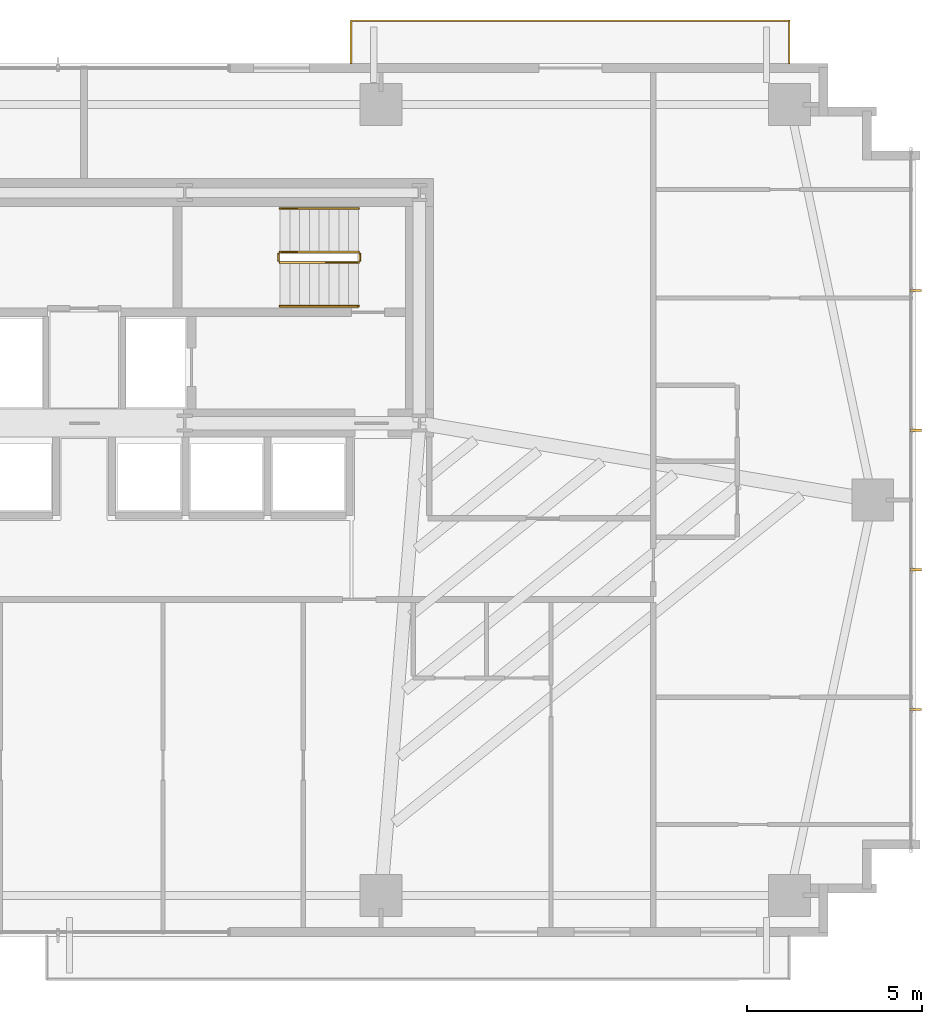
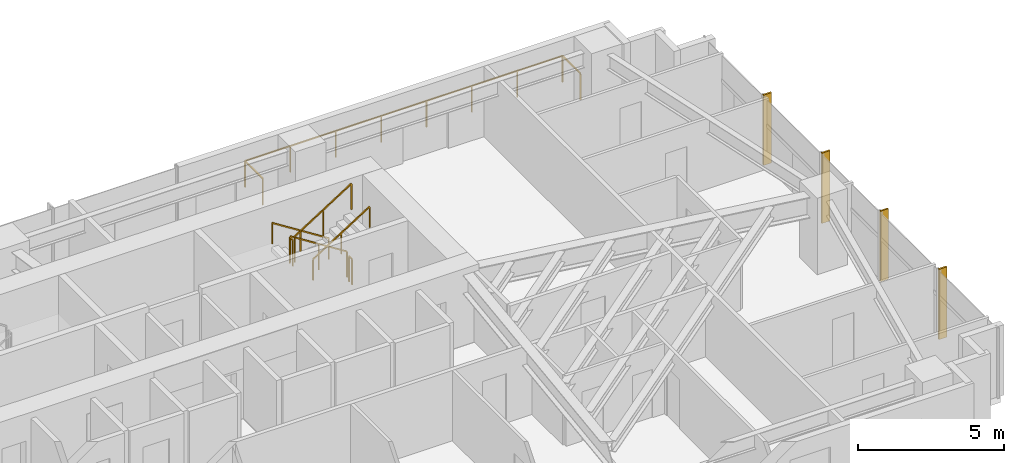
# One storey, part 25 of 25: 7 railings, 4 shading devices.
"""IFC4 building model written with IfcOpenShell, lengths in metres."""

from ifc_helpers import new_model, si_unit, direction, frame, origin, origin_2d, place, context, subcontext, project, spatial, rectangle, extrude, source, transform, mapped, material, type_object, type_shapes, element, save


model = new_model("IFC4")

# Units and contexts
model_context = context("Model", 3, precision=1e-05, world=origin(), true_north=direction((0.0, 1.0)))
body_context = subcontext(model_context, "Body", "Model", "MODEL_VIEW")
ifc_project = project(units=[si_unit("LENGTHUNIT", "METRE"), si_unit("AREAUNIT", "SQUARE_METRE"), si_unit("VOLUMEUNIT", "CUBIC_METRE"), si_unit("PLANEANGLEUNIT", "RADIAN"), si_unit("MASSUNIT", "GRAM", prefix="KILO")], contexts=[model_context])

# Site, building, storey
site_placement = place(None, origin())
site = spatial("IfcSite", under=ifc_project, at=site_placement, CompositionType="ELEMENT")
building_placement = place(site_placement, origin())
building = spatial("IfcBuilding", under=site, at=building_placement, Name="Astriad Promenade Condominiums", CompositionType="ELEMENT")
storey_placement = place(building_placement, frame((0.0, 0.0, 26.199951171875)))
storey = spatial("IfcBuildingStorey", under=building, at=storey_placement, Name="L06", CompositionType="ELEMENT", Elevation=26.199951171875)

# Shading devices
ifc_material_1 = material(Name="Anodised aluminium 6063-T6 Black Fin", Category="aluminium")
shading_device_type = type_object("IfcShadingDeviceType", Name="FIN-BLACK-320", PredefinedType="USERDEFINED", material=ifc_material_1)
shared_shape_1 = source(origin(), body_context, "Body", "SweptSolid", [
    extrude(rectangle(XDim=0.06494140625, YDim=0.320068359375, at=origin_2d()), origin(), (0.0, 0.0, 1.0), 2.93994140625),
])
type_shapes(shading_device_type, [shared_shape_1])
for number, where, z_axis, x_axis, name in (
    (1, (59.81005859375, 21.199951171875, 0.0), (0.0, 0.0, 1.0), (0.0, -1.0, 0.0), "CW-L06-E-FIN-01"),
    (2, (59.81005859375, 17.199951171875, 0.0), (0.0, 0.0, 1.0), (0.0, -1.0, 0.0), "CW-L06-E-FIN-02"),
    (3, (59.81005859375, 13.199951171875, 0.0), (0.0, 0.0, 1.0), (0.0, -1.0, 0.0), "CW-L06-E-FIN-03"),
    (4, (59.81005859375, 9.199951171875, 0.0), (0.0, 0.0, 1.0), (0.0, -1.0, 0.0), "CW-L06-E-FIN-04"),
):
    element("IfcShadingDevice", number, at=place(storey_placement, frame(where, z_axis=z_axis, x_axis=x_axis)), inside=storey, type_object=shading_device_type, Name=name, ObjectType="FIN", PredefinedType="USERDEFINED", context=body_context, shape_type="MappedRepresentation", body=[
        mapped(shared_shape_1, transform((0.0, 0.0, 0.0), scale=1.0)),
    ])

# Railings
ifc_material_2 = material(Name="Laminated Glass and Stainless Steel Balustrade", Category="steel")
railing_type_1 = type_object("IfcRailingType", Name="GRD-BALC-1120", PredefinedType="BALUSTRADE", material=ifc_material_2)
shared_shape_2 = source(origin(), body_context, "Body", "SweptSolid", [
    extrude(rectangle(XDim=0.048095703125, YDim=0.048095703125, at=origin_2d()), frame((0.0, 0.0, 1.09619140625), z_axis=(0.0, 1.0, 0.0), x_axis=(-1.0, 0.0, 0.0)), (0.0, 0.0, 1.0), 1.219970703125),
    extrude(rectangle(XDim=0.048095703125, YDim=0.048095703125, at=origin_2d()), frame((0.0, 1.219970703125, 1.09619140625), z_axis=(-1.0, 0.0, 0.0), x_axis=(0.0, -1.0, 0.0)), (0.0, 0.0, 1.0), 12.546142578125),
    extrude(rectangle(XDim=0.048095703125, YDim=0.048095703125, at=origin_2d()), frame((-12.546142578125, 1.219970703125, 1.09619140625), z_axis=(0.0, -1.0, 0.0), x_axis=(1.0, 0.0, 0.0)), (0.0, 0.0, 1.0), 1.219970703125),
    extrude(rectangle(XDim=0.0419921875, YDim=0.0419921875, at=origin_2d()), origin(), (0.0, 0.0, 1.0), 1.072021484375),
    extrude(rectangle(XDim=0.0419921875, YDim=0.0419921875, at=origin_2d()), frame((0.0, 1.219970703125, 0.0)), (0.0, 0.0, 1.0), 1.072021484375),
    extrude(rectangle(XDim=0.0419921875, YDim=0.0419921875, at=origin_2d()), frame((-1.792236328125, 1.219970703125, 0.0)), (0.0, 0.0, 1.0), 1.072021484375),
    extrude(rectangle(XDim=0.0419921875, YDim=0.0419921875, at=origin_2d()), frame((-3.584716796875, 1.219970703125, 0.0)), (0.0, 0.0, 1.0), 1.072021484375),
    extrude(rectangle(XDim=0.0419921875, YDim=0.0419921875, at=origin_2d()), frame((-5.376953125, 1.219970703125, 0.0)), (0.0, 0.0, 1.0), 1.072021484375),
    extrude(rectangle(XDim=0.0419921875, YDim=0.0419921875, at=origin_2d()), frame((-7.169189453125, 1.219970703125, 0.0)), (0.0, 0.0, 1.0), 1.072021484375),
    extrude(rectangle(XDim=0.0419921875, YDim=0.0419921875, at=origin_2d()), frame((-8.96142578125, 1.219970703125, 0.0)), (0.0, 0.0, 1.0), 1.072021484375),
    extrude(rectangle(XDim=0.0419921875, YDim=0.0419921875, at=origin_2d()), frame((-10.75390625, 1.219970703125, 0.0)), (0.0, 0.0, 1.0), 1.072021484375),
    extrude(rectangle(XDim=0.0419921875, YDim=0.0419921875, at=origin_2d()), frame((-12.546142578125, 1.219970703125, 0.0)), (0.0, 0.0, 1.0), 1.072021484375),
    extrude(rectangle(XDim=0.0419921875, YDim=0.0419921875, at=origin_2d()), frame((-12.546142578125, 0.0, 0.0)), (0.0, 0.0, 1.0), 1.072021484375),
])
type_shapes(railing_type_1, [shared_shape_2])
railing_1_placement = place(storey_placement, frame((56.18603515625, 27.699951171875, 0.0)))
element("IfcRailing", 5, at=railing_1_placement, inside=storey, type_object=railing_type_1, Name="GRD-BALC-L06-NE", PredefinedType="BALUSTRADE", context=body_context, shape_type="MappedRepresentation", body=[
    mapped(shared_shape_2, transform((0.0, 0.0, 0.0), scale=1.0)),
])
ifc_material_3 = material(Name="Painted Galvanised Steel Guardrail", Category="steel")
railing_type_2 = type_object("IfcRailingType", Name="GRD-STAIR-1100", PredefinedType="GUARDRAIL", material=ifc_material_3)
shared_shape_3 = source(origin(), body_context, "Body", "SweptSolid", [
    extrude(rectangle(XDim=0.048095703125, YDim=0.048095703125, at=origin_2d()), frame((0.0, 0.0, 1.076171875), z_axis=(0.8442293374, 0.0, 0.53598211339), x_axis=(0.0, 1.0, 0.0)), (0.0, 0.0, 1.0), 2.6533203125),
    extrude(rectangle(XDim=0.0419921875, YDim=0.0419921875, at=origin_2d()), origin(), (0.0, 0.0, 1.0), 1.052001953125),
    extrude(rectangle(XDim=0.0419921875, YDim=0.0419921875, at=origin_2d()), frame((1.1201171875, 0.0, 0.7109375)), (0.0, 0.0, 1.0), 1.052001953125),
    extrude(rectangle(XDim=0.0419921875, YDim=0.0419921875, at=origin_2d()), frame((2.239990234375, 0.0, 1.422119140625)), (0.0, 0.0, 1.0), 1.052001953125),
])
railing_2_placement = place(storey_placement, frame((41.610107421875, 22.0, 1.77783203125)))
element("IfcRailing", 6, at=railing_2_placement, inside=storey, type_object=railing_type_2, Name="L06 ST-2 stair guard 3", PredefinedType="GUARDRAIL", context=body_context, shape_type="MappedRepresentation", body=[
    mapped(shared_shape_3, transform((0.0, 0.0, 0.0), scale=1.0)),
])
shared_shape_4 = source(origin(), body_context, "Body", "SweptSolid", [
    extrude(rectangle(XDim=0.048095703125, YDim=0.048095703125, at=origin_2d()), frame((0.0, 0.0, 1.076171875), z_axis=(-0.84418770128, 0.0, 0.536047689118), x_axis=(0.0, -1.0, 0.0)), (0.0, 0.0, 1.0), 2.6533203125),
    extrude(rectangle(XDim=0.0419921875, YDim=0.0419921875, at=origin_2d()), origin(), (0.0, 0.0, 1.0), 1.052001953125),
    extrude(rectangle(XDim=0.0419921875, YDim=0.0419921875, at=origin_2d()), frame((-1.1201171875, 0.0, 0.711181640625)), (0.0, 0.0, 1.0), 1.052001953125),
    extrude(rectangle(XDim=0.0419921875, YDim=0.0419921875, at=origin_2d()), frame((-2.239990234375, 0.0, 1.42236328125)), (0.0, 0.0, 1.0), 1.052001953125),
])
railing_3_placement = place(storey_placement, frame((43.85009765625, 22.300048828125, 0.177734375)))
element("IfcRailing", 7, at=railing_3_placement, inside=storey, type_object=railing_type_2, Name="L06 ST-2 stair guard 1", PredefinedType="GUARDRAIL", context=body_context, shape_type="MappedRepresentation", body=[
    mapped(shared_shape_4, transform((0.0, 0.0, 0.0), scale=1.0)),
])
ifc_material_4 = material(Name="Brushed Stainless Steel Handrail", Category="steel")
railing_type_3 = type_object("IfcRailingType", Name="HRL-STAIR-920", PredefinedType="HANDRAIL", material=ifc_material_4)
shared_shape_5 = source(origin(), body_context, "Body", "SweptSolid", [
    extrude(rectangle(XDim=0.048095703125, YDim=0.048095703125, at=origin_2d()), frame((0.0, 0.0, 0.8759765625), z_axis=(0.8442293374, 0.0, 0.53598211339), x_axis=(0.0, 1.0, 0.0)), (0.0, 0.0, 1.0), 2.6533203125),
    extrude(rectangle(XDim=0.0419921875, YDim=0.0419921875, at=origin_2d()), origin(), (0.0, 0.0, 1.0), 0.851806640625),
    extrude(rectangle(XDim=0.0419921875, YDim=0.0419921875, at=origin_2d()), frame((1.1201171875, 0.0, 0.7109375)), (0.0, 0.0, 1.0), 0.851806640625),
    extrude(rectangle(XDim=0.0419921875, YDim=0.0419921875, at=origin_2d()), frame((2.239990234375, 0.0, 1.422119140625)), (0.0, 0.0, 1.0), 0.851806640625),
])
railing_4_placement = place(storey_placement, frame((41.610107421875, 20.75, 1.77783203125)))
element("IfcRailing", 8, at=railing_4_placement, inside=storey, type_object=railing_type_3, Name="L06 ST-2 stair handrail 2", PredefinedType="HANDRAIL", context=body_context, shape_type="MappedRepresentation", body=[
    mapped(shared_shape_5, transform((0.0, 0.0, 0.0), scale=1.0)),
])
shared_shape_6 = source(origin(), body_context, "Body", "SweptSolid", [
    extrude(rectangle(XDim=0.048095703125, YDim=0.048095703125, at=origin_2d()), frame((0.0, 0.0, 0.8759765625), z_axis=(-0.84418770128, 0.0, 0.536047689118), x_axis=(0.0, -1.0, 0.0)), (0.0, 0.0, 1.0), 2.6533203125),
    extrude(rectangle(XDim=0.0419921875, YDim=0.0419921875, at=origin_2d()), origin(), (0.0, 0.0, 1.0), 0.851806640625),
    extrude(rectangle(XDim=0.0419921875, YDim=0.0419921875, at=origin_2d()), frame((-1.1201171875, 0.0, 0.711181640625)), (0.0, 0.0, 1.0), 0.851806640625),
    extrude(rectangle(XDim=0.0419921875, YDim=0.0419921875, at=origin_2d()), frame((-2.239990234375, 0.0, 1.42236328125)), (0.0, 0.0, 1.0), 0.851806640625),
])
type_shapes(railing_type_3, [shared_shape_5, shared_shape_6])
railing_5_placement = place(storey_placement, frame((43.85009765625, 23.550048828125, 0.177734375)))
element("IfcRailing", 9, at=railing_5_placement, inside=storey, type_object=railing_type_3, Name="L06 ST-2 stair handrail 1", PredefinedType="HANDRAIL", context=body_context, shape_type="MappedRepresentation", body=[
    mapped(shared_shape_6, transform((0.0, 0.0, 0.0), scale=1.0)),
])
shared_shape_7 = source(origin(), body_context, "Body", "SweptSolid", [
    extrude(rectangle(XDim=0.048095703125, YDim=0.048095703125, at=origin_2d()), frame((0.0, 0.0, 1.076171875), z_axis=(0.0, -1.0, 0.0), x_axis=(1.0, 0.0, 0.0)), (0.0, 0.0, 1.0), 0.199951171875),
    extrude(rectangle(XDim=0.0419921875, YDim=0.0419921875, at=origin_2d()), origin(), (0.0, 0.0, 1.0), 1.052001953125),
    extrude(rectangle(XDim=0.0419921875, YDim=0.0419921875, at=origin_2d()), frame((0.0, -0.199951171875, 0.0)), (0.0, 0.0, 1.0), 1.052001953125),
])
type_shapes(railing_type_2, [shared_shape_3, shared_shape_4, shared_shape_7])
for number, where, name in (
    (10, (41.56005859375, 22.25, 1.60009765625), "L06 ST-2 stair guard 2"),
    (11, (43.89990234375, 22.25, 0.0), "L06 ST-2 stair guard 4"),
):
    element("IfcRailing", number, at=place(storey_placement, frame(where)), inside=storey, type_object=railing_type_2, Name=name, PredefinedType="GUARDRAIL", context=body_context, shape_type="MappedRepresentation", body=[
        mapped(shared_shape_7, transform((0.0, 0.0, 0.0), scale=1.0)),
    ])

save(model, "model.ifc")
